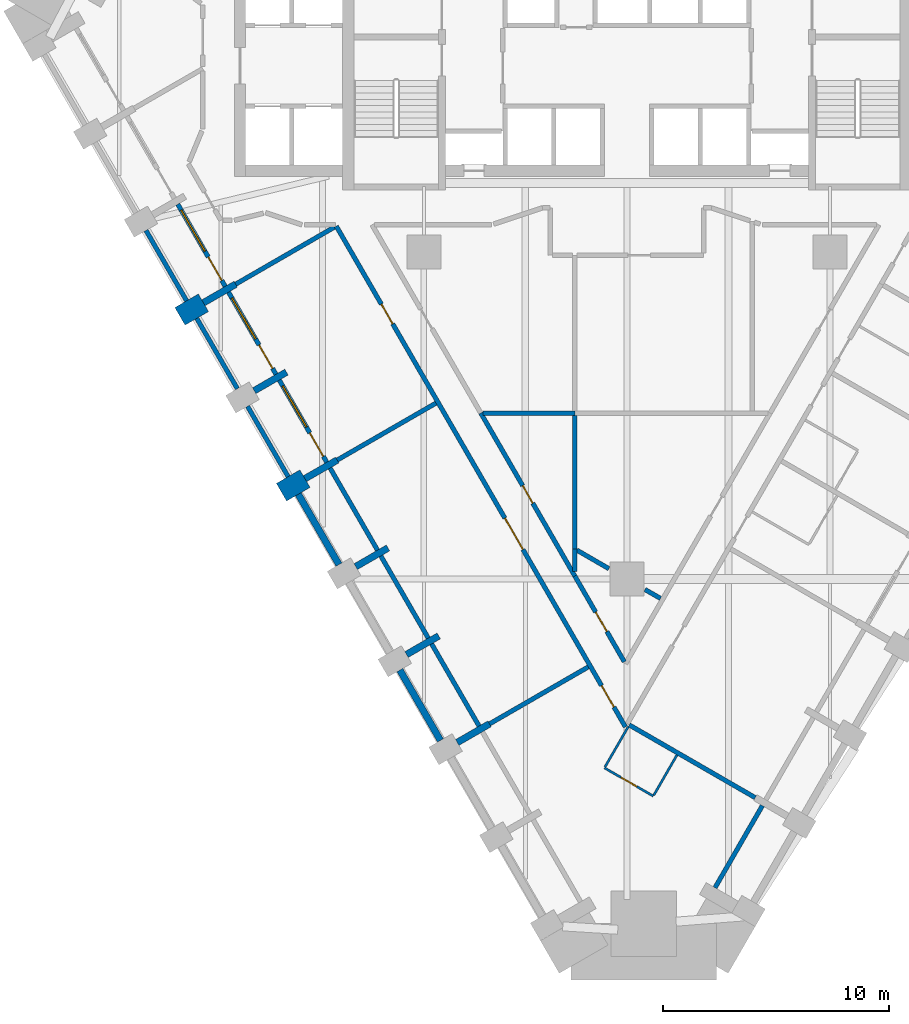
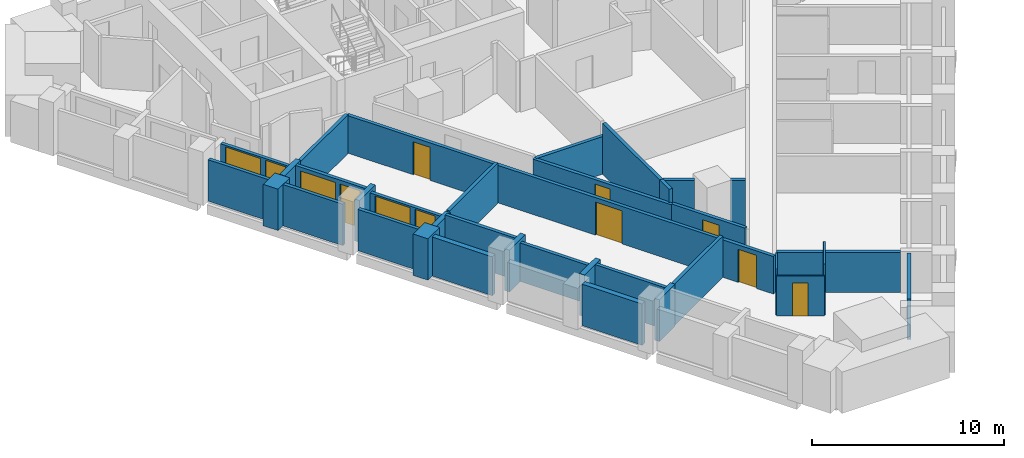
# One storey, part 3 of 11: 35 walls, 9 doors, 3 windows, 12 openings.
"""IFC4 building model written with IfcOpenShell, lengths in metres."""

from ifc_helpers import new_model, si_unit, direction, frame, frame_2d, origin, place, context, subcontext, project, spatial, rectangle, extrude, material, layer, layer_set, type_object, element, fill, save


model = new_model("IFC4")

# Units and contexts
model_context = context("Model", 3, precision=1e-05, world=origin(), true_north=direction((0.0, 1.0)))
body_context = subcontext(model_context, "Body", "Model", "MODEL_VIEW")
ifc_project = project(units=[si_unit("LENGTHUNIT", "METRE"), si_unit("AREAUNIT", "SQUARE_METRE"), si_unit("VOLUMEUNIT", "CUBIC_METRE"), si_unit("PLANEANGLEUNIT", "RADIAN"), si_unit("MASSUNIT", "GRAM", prefix="KILO")], contexts=[model_context])

# Site, building, storey
site_placement = place(None, origin())
site = spatial("IfcSite", under=ifc_project, at=site_placement, CompositionType="ELEMENT")
building_placement = place(site_placement, origin())
building = spatial("IfcBuilding", under=site, at=building_placement, Name="Calabash Gate Tower", CompositionType="ELEMENT")
storey_placement = place(building_placement, frame((0.0, 0.0, 115.60009765625)))
storey = spatial("IfcBuildingStorey", under=building, at=storey_placement, Name="L26", CompositionType="ELEMENT", Elevation=115.60009765625)

# Walls
ifc_material_1 = material(Name="Terracotta brick masonry, exposed face", Category="masonry")
ifc_layer_1 = layer(ifc_material_1, 1.199951171875)
ifc_layer_set_1 = layer_set([ifc_layer_1], Name="Brick end wall 1200")
wall_type_1 = type_object("IfcWallType", Name="Brick end wall 1200", PredefinedType="SOLIDWALL", material=ifc_layer_set_1)
for number, where, z_axis, x_axis, name in (
    (1, (-19.80859375, -0.355224609375, 0.0), (0.0, 0.0, 1.0), (0.866043267704, 0.499969057507, 0.0), "Brick pier S07 SW0.3"),
    (2, (-15.30859375, -8.1494140625, 0.0), (0.0, 0.0, 1.0), (0.866043267704, 0.499969057507, 0.0), "Brick pier S07 SW0.5"),
):
    element("IfcWall", number, at=place(storey_placement, frame(where, z_axis=z_axis, x_axis=x_axis)), inside=storey, type_object=wall_type_1, Name=name, PredefinedType="SOLIDWALL", context=body_context, shape_type="SweptSolid", body=[
        extrude(rectangle(XDim=1.19970703125, YDim=0.89990234375, at=frame_2d((0.599853515625, 0.0))), origin(), (0.0, 0.0, 1.0), 2.6298828125),
    ])
ifc_material_2 = material(Name="Terracotta brick masonry, exposed face", Category="masonry")
ifc_layer_2 = layer(ifc_material_2, 0.300048828125)
ifc_layer_set_2 = layer_set([ifc_layer_2], Name="Brick infill panel wall 300")
wall_type_2 = type_object("IfcWallType", Name="Brick infill panel wall 300", PredefinedType="SOLIDWALL", material=ifc_layer_set_2)
wall_1_placement = place(storey_placement, frame((-14.56396484375, -8.2392578125, 0.0), z_axis=(0.0, 0.0, 1.0), x_axis=(0.500012057535, -0.866018442252, 0.0)))
element("IfcWall", 3, at=wall_1_placement, inside=storey, type_object=wall_type_2, Name="Brick panel S07 SW0.6", PredefinedType="SOLIDWALL", context=body_context, shape_type="SweptSolid", body=[
    extrude(rectangle(XDim=3.60009765625, YDim=0.300048828125, at=frame_2d((1.800048828125, 0.0))), origin(), (0.0, 0.0, 1.0), 2.473388671875),
])
wall_2_placement = place(storey_placement, frame((-10.06396484375, -16.033447265625, 0.0), z_axis=(0.0, 0.0, 1.0), x_axis=(0.500012057535, -0.866018442252, 0.0)))
element("IfcWall", 4, at=wall_2_placement, inside=storey, type_object=wall_type_2, Name="Brick panel S07 SW0.8", PredefinedType="SOLIDWALL", context=body_context, shape_type="SweptSolid", body=[
    extrude(rectangle(XDim=3.60009765625, YDim=0.300048828125, at=frame_2d((1.800048828125, 0.0))), origin(), (0.0, 0.0, 1.0), 2.6298828125),
])
ifc_material_3 = material(Name="Terracotta brick masonry, exposed face", Category="masonry")
ifc_layer_3 = layer(ifc_material_3, 0.300048828125)
ifc_layer_set_3 = layer_set([ifc_layer_3], Name="Brick loggia cheek wall 300")
wall_type_3 = type_object("IfcWallType", Name="Brick loggia cheek wall 300", PredefinedType="SOLIDWALL", material=ifc_layer_set_3)
wall_3_placement = place(storey_placement, frame((-18.76953125, 0.24462890625, 0.0), z_axis=(0.0, 0.0, 1.0), x_axis=(0.865976140824, 0.500085316245, 0.0)))
element("IfcWall", 5, at=wall_3_placement, inside=storey, type_object=wall_type_3, Name="Loggia cheek S07 SW0.3", PredefinedType="SOLIDWALL", context=body_context, shape_type="SweptSolid", body=[
    extrude(rectangle(XDim=1.650146484375, YDim=0.300048828125, at=frame_2d((0.8251953125, 0.0))), origin(), (0.0, 0.0, 1.0), 2.64990234375),
])
wall_4_placement = place(storey_placement, frame((-16.519287109375, -3.65234375, 0.0), z_axis=(0.0, 0.0, 1.0), x_axis=(0.866003217194, 0.500038426333, 0.0)))
element("IfcWall", 6, at=wall_4_placement, inside=storey, type_object=wall_type_3, Name="Loggia cheek S07 SW0.4", PredefinedType="SOLIDWALL", context=body_context, shape_type="SweptSolid", body=[
    extrude(rectangle(XDim=1.649658203125, YDim=0.300048828125, at=frame_2d((0.82470703125, 0.0))), origin(), (0.0, 0.0, 1.0), 2.64990234375),
])
wall_5_placement = place(storey_placement, frame((-12.840576171875, -6.724609375, 0.0), z_axis=(0.0, 0.0, 1.0), x_axis=(-0.866040211805, -0.499974350878, 0.0)))
element("IfcWall", 7, at=wall_5_placement, inside=storey, type_object=wall_type_3, Name="Loggia cheek S07 SW0.5", PredefinedType="SOLIDWALL", context=body_context, shape_type="SweptSolid", body=[
    extrude(rectangle(XDim=1.64990234375, YDim=0.300048828125, at=frame_2d((0.824951171875, 0.0))), origin(), (0.0, 0.0, 1.0), 2.473388671875),
])
for number, where, z_axis, x_axis, name in (
    (8, (-12.01953125, -11.446533203125, 0.0), (0.0, 0.0, 1.0), (0.866040211805, 0.499974350878, 0.0), "Loggia cheek S07 SW0.6"),
    (9, (-8.340576171875, -14.518798828125, 0.0), (0.0, 0.0, 1.0), (-0.866040211805, -0.499974350878, 0.0), "Loggia cheek S07 SW0.7"),
):
    element("IfcWall", number, at=place(storey_placement, frame(where, z_axis=z_axis, x_axis=x_axis)), inside=storey, type_object=wall_type_3, Name=name, PredefinedType="SOLIDWALL", context=body_context, shape_type="SweptSolid", body=[
        extrude(rectangle(XDim=1.64990234375, YDim=0.300048828125, at=frame_2d((0.824951171875, 0.0))), origin(), (0.0, 0.0, 1.0), 2.64990234375),
    ])
wall_6_placement = place(storey_placement, frame((-7.51953125, -19.240966796875, 0.0), z_axis=(0.0, 0.0, 1.0), x_axis=(0.865976140824, 0.500085316245, 0.0)))
element("IfcWall", 10, at=wall_6_placement, inside=storey, type_object=wall_type_3, Name="Loggia cheek S07 SW0.8", PredefinedType="SOLIDWALL", context=body_context, shape_type="SweptSolid", body=[
    extrude(rectangle(XDim=1.650146484375, YDim=0.300048828125, at=frame_2d((0.8251953125, 0.0))), origin(), (0.0, 0.0, 1.0), 2.64990234375),
])
ifc_material_4 = material(Name="Gypsum board on steel studs, mineral wool", Category="steel")
ifc_layer_4 = layer(ifc_material_4, 0.10009765625)
ifc_layer_set_4 = layer_set([ifc_layer_4], Name="Partition 100 gypsum board")
wall_type_4 = type_object("IfcWallType", Name="Partition 100 gypsum board", PredefinedType="PARTITIONING", material=ifc_layer_set_4)
wall_7_placement = place(storey_placement, frame((1.192626953125, -21.573486328125, 0.0), z_axis=(0.0, 0.0, 1.0), x_axis=(0.499354689006, 0.866397653833, 0.0)))
element("IfcWall", 11, at=wall_7_placement, inside=storey, type_object=wall_type_4, Name="Partition", PredefinedType="PARTITIONING", context=body_context, shape_type="SweptSolid", body=[
    extrude(rectangle(XDim=2.050048828125, YDim=0.10009765625, at=frame_2d((1.02490234375, 0.0))), origin(), (0.0, 0.0, 1.0), 3.22998046875),
])

# Wall, opening, door
wall_8_placement = place(storey_placement, frame((-0.997314453125, -20.36669921875, 0.0), z_axis=(0.0, 0.0, 1.0), x_axis=(0.866022959057, -0.500004234368, 0.0)))
wall_8 = element("IfcWall", 12, at=wall_8_placement, inside=storey, type_object=wall_type_4, Name="Partition", PredefinedType="PARTITIONING", context=body_context, shape_type="SweptSolid", body=[
    extrude(rectangle(XDim=2.5, YDim=0.10009765625, at=frame_2d((1.25, 0.0))), origin(), (0.0, 0.0, 1.0), 2.5517578125),
])
opening_1_placement = place(wall_8_placement, frame((0.85009765625, 0.0, 0.0)))
opening_1 = element("IfcOpeningElement", 13, at=opening_1_placement, cuts=wall_8, Name="Opening 25-27-017", PredefinedType="OPENING", context=body_context, shape_type="SweptSolid", body=[
    extrude(rectangle(XDim=0.800048828125, YDim=2.10009765625, at=frame_2d((0.39990234375, 1.050048828125))), frame((0.0, 0.06005859375, 0.0), z_axis=(0.0, -1.0, 0.0), x_axis=(1.0, 0.0, 0.0)), (0.0, 0.0, 1.0), 0.1201171875),
])
ifc_material_5 = material(Name="Painted timber door", Category="wood")
door_type_1 = type_object("IfcDoorType", Name="GD5 En-suite door 800x2100", OperationType="NOTDEFINED", PredefinedType="DOOR", material=ifc_material_5)
door_1_placement = place(opening_1_placement, origin())
door_1 = element("IfcDoor", 14, at=door_1_placement, inside=storey, type_object=door_type_1, Name="En-suite door", OperationType="SINGLE_SWING_RIGHT", OverallHeight=2.10009765625, OverallWidth=0.800048828125, PredefinedType="DOOR", context=body_context, shape_type="SweptSolid", body=[
    extrude(rectangle(XDim=0.800048828125, YDim=2.10009765625, at=frame_2d((0.39990234375, 1.050048828125))), frame((0.0, 0.02490234375, 0.0), z_axis=(0.0, -1.0, 0.0), x_axis=(1.0, 0.0, 0.0)), (0.0, 0.0, 1.0), 0.050048828125),
])
fill(opening_1, door_1)

# Wall
wall_9_placement = place(storey_placement, frame((-0.972412109375, -20.323486328125, 0.0), z_axis=(0.0, 0.0, 1.0), x_axis=(0.500646589026, 0.865651773461, 0.0)))
element("IfcWall", 15, at=wall_9_placement, inside=storey, type_object=wall_type_4, Name="Partition", PredefinedType="PARTITIONING", context=body_context, shape_type="SweptSolid", body=[
    extrude(rectangle(XDim=2.050048828125, YDim=0.10009765625, at=frame_2d((1.02490234375, 0.0))), origin(), (0.0, 0.0, 1.0), 2.5517578125),
])

# Wall, openings, doors
ifc_material_6 = material(Name="Gypsum board on steel studs, mineral wool", Category="steel")
ifc_layer_5 = layer(ifc_material_6, 0.199951171875)
ifc_layer_set_5 = layer_set([ifc_layer_5], Name="Partition 200 gypsum board EI 60")
wall_type_5 = type_object("IfcWallType", Name="Partition 200 gypsum board EI 60", PredefinedType="PARTITIONING", material=ifc_layer_set_5)
wall_10_placement = place(storey_placement, frame((-12.882080078125, 3.643798828125, 0.0), z_axis=(0.0, 0.0, 1.0), x_axis=(0.500000325599, -0.866025215799, 0.0)))
wall_10 = element("IfcWall", 16, at=wall_10_placement, inside=storey, type_object=wall_type_5, Name="Partition", PredefinedType="PARTITIONING", context=body_context, shape_type="SweptSolid", body=[
    extrude(rectangle(XDim=25.63037109375, YDim=0.199951171875, at=frame_2d((12.815185546875, 0.0))), origin(), (0.0, 0.0, 1.0), 2.384033203125),
])
opening_2_placement = place(wall_10_placement, frame((4.0, 0.0, 0.0)))
opening_2 = element("IfcOpeningElement", 17, at=opening_2_placement, cuts=wall_10, Name="Opening 25-27-001", PredefinedType="OPENING", context=body_context, shape_type="SweptSolid", body=[
    extrude(rectangle(XDim=1.0, YDim=2.10009765625, at=frame_2d((0.5, 1.050048828125))), frame((0.0, 0.10986328125, 0.0), z_axis=(0.0, -1.0, 0.0), x_axis=(1.0, 0.0, 0.0)), (0.0, 0.0, 1.0), 0.219970703125),
])
opening_3_placement = place(wall_10_placement, frame((14.9501953125, 0.0, 0.0)))
opening_3 = element("IfcOpeningElement", 18, at=opening_3_placement, cuts=wall_10, Name="Opening 25-27-002", PredefinedType="OPENING", context=body_context, shape_type="SweptSolid", body=[
    extrude(rectangle(XDim=1.60009765625, YDim=2.10009765625, at=frame_2d((0.800048828125, 1.050048828125))), frame((0.0, 0.10986328125, 0.0), z_axis=(0.0, -1.0, 0.0), x_axis=(1.0, 0.0, 0.0)), (0.0, 0.0, 1.0), 0.219970703125),
])
opening_4_placement = place(wall_10_placement, frame((23.515380859375, 0.0, 0.0)))
opening_4 = element("IfcOpeningElement", 19, at=opening_4_placement, cuts=wall_10, Name="Opening 25-27-026", PredefinedType="OPENING", context=body_context, shape_type="SweptSolid", body=[
    extrude(rectangle(XDim=1.10009765625, YDim=2.10009765625, at=frame_2d((0.550048828125, 1.050048828125))), frame((0.0, 0.10986328125, 0.0), z_axis=(0.0, -1.0, 0.0), x_axis=(1.0, 0.0, 0.0)), (0.0, 0.0, 1.0), 0.219970703125),
])
ifc_material_7 = material(Name="Steel fire door set with fire-resisting glazing", Category="steel")
door_type_2 = type_object("IfcDoorType", Name="GD3 Suite entrance door 1100x2100", OperationType="NOTDEFINED", PredefinedType="DOOR", material=ifc_material_7)
door_2_placement = place(opening_4_placement, origin())
door_2 = element("IfcDoor", 20, at=door_2_placement, inside=storey, type_object=door_type_2, Name="Suite entrance door", OperationType="SINGLE_SWING_LEFT", OverallHeight=2.10009765625, OverallWidth=1.10009765625, PredefinedType="DOOR", context=body_context, shape_type="SweptSolid", body=[
    extrude(rectangle(XDim=1.10009765625, YDim=2.10009765625, at=frame_2d((0.550048828125, 1.050048828125))), frame((0.0, 0.02490234375, 0.0), z_axis=(0.0, -1.0, 0.0), x_axis=(1.0, 0.0, 0.0)), (0.0, 0.0, 1.0), 0.050048828125),
])
fill(opening_4, door_2)
ifc_material_8 = material(Name="Steel fire door set with fire-resisting glazing", Category="steel")
door_type_3 = type_object("IfcDoorType", Name="LD1 Lounge double door 1600x2100", OperationType="NOTDEFINED", PredefinedType="DOOR", material=ifc_material_8)
door_3_placement = place(opening_3_placement, origin())
door_3 = element("IfcDoor", 21, at=door_3_placement, inside=storey, type_object=door_type_3, Name="Lounge double door", OperationType="DOUBLE_DOOR_SINGLE_SWING", OverallHeight=2.10009765625, OverallWidth=1.60009765625, PredefinedType="DOOR", context=body_context, shape_type="SweptSolid", body=[
    extrude(rectangle(XDim=1.60009765625, YDim=2.10009765625, at=frame_2d((0.800048828125, 1.050048828125))), frame((0.0, 0.02490234375, 0.0), z_axis=(0.0, -1.0, 0.0), x_axis=(1.0, 0.0, 0.0)), (0.0, 0.0, 1.0), 0.050048828125),
])
fill(opening_3, door_3)
ifc_material_9 = material(Name="Steel fire door set with fire-resisting glazing", Category="steel")
door_type_4 = type_object("IfcDoorType", Name="LD2 Meeting room door 1000x2100", OperationType="NOTDEFINED", PredefinedType="DOOR", material=ifc_material_9)
door_4_placement = place(opening_2_placement, origin())
door_4 = element("IfcDoor", 22, at=door_4_placement, inside=storey, type_object=door_type_4, Name="Meeting room door", OperationType="SINGLE_SWING_RIGHT", OverallHeight=2.10009765625, OverallWidth=1.0, PredefinedType="DOOR", context=body_context, shape_type="SweptSolid", body=[
    extrude(rectangle(XDim=1.0, YDim=2.10009765625, at=frame_2d((0.5, 1.050048828125))), frame((0.0, 0.02490234375, 0.0), z_axis=(0.0, -1.0, 0.0), x_axis=(1.0, 0.0, 0.0)), (0.0, 0.0, 1.0), 0.050048828125),
])
fill(opening_2, door_4)

# Walls
wall_11_placement = place(storey_placement, frame((0.101806640625, -18.462890625, 0.0), z_axis=(0.0, 0.0, 1.0), x_axis=(0.866035557451, -0.499982412921, 0.0)))
element("IfcWall", 23, at=wall_11_placement, inside=storey, type_object=wall_type_5, Name="Partition", PredefinedType="PARTITIONING", context=body_context, shape_type="SweptSolid", body=[
    extrude(rectangle(XDim=6.449462890625, YDim=0.199951171875, at=frame_2d((3.224609375, 0.0))), origin(), (0.0, 0.0, 1.0), 2.5517578125),
])
wall_12_placement = place(storey_placement, frame((-6.090087890625, -18.416259765625, 0.0), z_axis=(0.0, 0.0, 1.0), x_axis=(0.866164656326, 0.49975872992, 0.0)))
element("IfcWall", 24, at=wall_12_placement, inside=storey, type_object=wall_type_5, Name="Partition", PredefinedType="PARTITIONING", context=body_context, shape_type="SweptSolid", body=[
    extrude(rectangle(XDim=5.04931640625, YDim=0.199951171875, at=frame_2d((2.524658203125, 0.0))), origin(), (0.0, 0.0, 1.0), 2.6279296875),
])
wall_13_placement = place(storey_placement, frame((0.800048828125, -12.461669921875, 0.0), z_axis=(0.0, 0.0, 1.0), x_axis=(0.867012419422, -0.498286528584, 0.0)))
element("IfcWall", 25, at=wall_13_placement, inside=storey, type_object=wall_type_5, Name="Partition", PredefinedType="PARTITIONING", context=body_context, shape_type="SweptSolid", body=[
    extrude(rectangle(XDim=0.795166015625, YDim=0.199951171875, at=frame_2d((0.3974609375, 0.0))), origin(), (0.0, 0.0, 1.0), 3.22998046875),
])

# Wall, opening, door
wall_14_placement = place(storey_placement, frame((-2.311279296875, -11.861083984375, 0.0), z_axis=(0.0, 0.0, 1.0), x_axis=(0.499977492351, -0.866038398192, 0.0)))
wall_14 = element("IfcWall", 26, at=wall_14_placement, inside=storey, type_object=wall_type_5, Name="Partition", PredefinedType="PARTITIONING", context=body_context, shape_type="SweptSolid", body=[
    extrude(rectangle(XDim=4.391845703125, YDim=0.199951171875, at=frame_2d((2.19580078125, 0.0))), origin(), (0.0, 0.0, 1.0), 2.449951171875),
])
opening_5_placement = place(wall_14_placement, frame((1.84423828125, 0.0, 0.0)))
opening_5 = element("IfcOpeningElement", 27, at=opening_5_placement, cuts=wall_14, Name="Opening 25-27-015", PredefinedType="OPENING", context=body_context, shape_type="SweptSolid", body=[
    extrude(rectangle(XDim=1.0, YDim=2.10009765625, at=frame_2d((0.5, 1.050048828125))), frame((0.0, 0.10986328125, 0.0), z_axis=(0.0, -1.0, 0.0), x_axis=(1.0, 0.0, 0.0)), (0.0, 0.0, 1.0), 0.219970703125),
])
door_5_placement = place(opening_5_placement, origin())
door_5 = element("IfcDoor", 28, at=door_5_placement, inside=storey, type_object=door_type_4, Name="Meeting room door", OperationType="SINGLE_SWING_RIGHT", OverallHeight=2.10009765625, OverallWidth=1.0, PredefinedType="DOOR", context=body_context, shape_type="SweptSolid", body=[
    extrude(rectangle(XDim=1.0, YDim=2.10009765625, at=frame_2d((0.5, 1.050048828125))), frame((0.0, 0.02490234375, 0.0), z_axis=(0.0, -1.0, 0.0), x_axis=(1.0, 0.0, 0.0)), (0.0, 0.0, 1.0), 0.050048828125),
])
fill(opening_5, door_5)

# Walls
wall_15_placement = place(storey_placement, frame((-2.224609375, -10.713623046875, 0.0), z_axis=(0.0, 0.0, 1.0), x_axis=(0.865565051919, -0.500796506474, 0.0)))
element("IfcWall", 29, at=wall_15_placement, inside=storey, type_object=wall_type_5, Name="Partition", PredefinedType="PARTITIONING", context=body_context, shape_type="SweptSolid", body=[
    extrude(rectangle(XDim=1.645751953125, YDim=0.199951171875, at=frame_2d((0.82275390625, 0.0))), origin(), (0.0, 0.0, 1.0), 3.22998046875),
])
wall_16_placement = place(storey_placement, frame((-2.31103515625, -11.66162109375, 0.0), z_axis=(0.0, 0.0, 1.0), x_axis=(0.001472029808, 0.999998916564, 0.0)))
element("IfcWall", 30, at=wall_16_placement, inside=storey, type_object=wall_type_5, Name="Partition", PredefinedType="PARTITIONING", context=body_context, shape_type="SweptSolid", body=[
    extrude(rectangle(XDim=0.9951171875, YDim=0.199951171875, at=frame_2d((0.49755859375, 0.0))), origin(), (0.0, 0.0, 1.0), 3.22998046875),
])
wall_17_placement = place(storey_placement, frame((-2.3095703125, -10.66650390625, 0.0), z_axis=(0.0, 0.0, 1.0), x_axis=(0.0, 1.0, 0.0)))
element("IfcWall", 31, at=wall_17_placement, inside=storey, type_object=wall_type_5, Name="Partition", PredefinedType="PARTITIONING", context=body_context, shape_type="SweptSolid", body=[
    extrude(rectangle(XDim=5.927001953125, YDim=0.199951171875, at=frame_2d((2.96337890625, 0.0))), origin(), (0.0, 0.0, 1.0), 3.22998046875),
])

# Wall, opening, door
wall_18_placement = place(storey_placement, frame((-6.4775390625, -4.641357421875, 0.0), z_axis=(0.0, 0.0, 1.0), x_axis=(0.499806127846, -0.866137306994, 0.0)))
wall_18 = element("IfcWall", 32, at=wall_18_placement, inside=storey, type_object=wall_type_5, Name="Partition", PredefinedType="PARTITIONING", context=body_context, shape_type="SweptSolid", body=[
    extrude(rectangle(XDim=8.335205078125, YDim=0.199951171875, at=frame_2d((4.16748046875, 0.0))), origin(), (0.0, 0.0, 1.0), 2.384033203125),
])
opening_6_placement = place(wall_18_placement, frame((3.716064453125, 0.0, 0.0)))
opening_6 = element("IfcOpeningElement", 33, at=opening_6_placement, cuts=wall_18, Name="Opening 25-27-014", PredefinedType="OPENING", context=body_context, shape_type="SweptSolid", body=[
    extrude(rectangle(XDim=0.89990234375, YDim=2.10009765625, at=frame_2d((0.449951171875, 1.050048828125))), frame((0.0, 0.10986328125, 0.0), z_axis=(0.0, -1.0, 0.0), x_axis=(1.0, 0.0, 0.0)), (0.0, 0.0, 1.0), 0.219970703125),
])
ifc_material_10 = material(Name="Steel fire door set with fire-resisting glazing", Category="steel")
door_type_5 = type_object("IfcDoorType", Name="SD3 Store door 900x2100", OperationType="NOTDEFINED", PredefinedType="DOOR", material=ifc_material_10)
door_6_placement = place(opening_6_placement, origin())
door_6 = element("IfcDoor", 34, at=door_6_placement, inside=storey, type_object=door_type_5, Name="Store door", OperationType="SINGLE_SWING_LEFT", OverallHeight=2.10009765625, OverallWidth=0.89990234375, PredefinedType="DOOR", context=body_context, shape_type="SweptSolid", body=[
    extrude(rectangle(XDim=0.89990234375, YDim=2.10009765625, at=frame_2d((0.449951171875, 1.050048828125))), frame((0.0, 0.02490234375, 0.0), z_axis=(0.0, -1.0, 0.0), x_axis=(1.0, 0.0, 0.0)), (0.0, 0.0, 1.0), 0.050048828125),
])
fill(opening_6, door_6)

# Walls
wall_19_placement = place(storey_placement, frame((-6.377685546875, -4.641357421875, 0.0), z_axis=(0.0, 0.0, 1.0), x_axis=(1.0, 0.0, 0.0)))
element("IfcWall", 35, at=wall_19_placement, inside=storey, type_object=wall_type_5, Name="Partition", PredefinedType="PARTITIONING", context=body_context, shape_type="SweptSolid", body=[
    extrude(rectangle(XDim=4.066162109375, YDim=0.199951171875, at=frame_2d((2.033203125, 0.0))), origin(), (0.0, 0.0, 1.0), 2.384033203125),
])
wall_20_placement = place(storey_placement, frame((-12.84033203125, -6.724609375, 0.0), z_axis=(0.0, 0.0, 1.0), x_axis=(0.866209732401, 0.499680597475, 0.0)))
element("IfcWall", 36, at=wall_20_placement, inside=storey, type_object=wall_type_5, Name="Partition", PredefinedType="PARTITIONING", context=body_context, shape_type="SweptSolid", body=[
    extrude(rectangle(XDim=5.049560546875, YDim=0.199951171875, at=frame_2d((2.52490234375, 0.0))), origin(), (0.0, 0.0, 1.0), 2.5517578125),
])
wall_21_placement = place(storey_placement, frame((-17.3408203125, 1.0703125, 0.0), z_axis=(0.0, 0.0, 1.0), x_axis=(0.865894858421, 0.500226043064, 0.0)))
element("IfcWall", 37, at=wall_21_placement, inside=storey, type_object=wall_type_5, Name="Partition", PredefinedType="PARTITIONING", context=body_context, shape_type="SweptSolid", body=[
    extrude(rectangle(XDim=5.049560546875, YDim=0.199951171875, at=frame_2d((2.52490234375, 0.0))), origin(), (0.0, 0.0, 1.0), 2.473388671875),
])
ifc_material_11 = material(Name="Terracotta brick masonry, perforated", Category="masonry")
ifc_layer_6 = layer(ifc_material_11, 0.199951171875)
ifc_layer_set_6 = layer_set([ifc_layer_6], Name="Terracotta jaali screen A")
wall_type_6 = type_object("IfcWallType", Name="Terracotta jaali screen A", PredefinedType="SOLIDWALL", material=ifc_layer_set_6)
for number, where, z_axis, x_axis, name in (
    (38, (-21.31396484375, 3.4521484375, 0.0), (0.0, 0.0, 1.0), (0.500012057535, -0.866018442252, 0.0), "SCREEN A S07 SW0.3"),
    (39, (-19.06396484375, -0.445068359375, 0.0), (0.0, 0.0, 1.0), (0.500012057535, -0.866018442252, 0.0), "SCREEN A S07 SW0.4"),
    (40, (-16.81396484375, -4.342041015625, 0.0), (0.0, 0.0, 1.0), (0.500012057535, -0.866018442252, 0.0), "SCREEN A S07 SW0.5"),
):
    element("IfcWall", number, at=place(storey_placement, frame(where, z_axis=z_axis, x_axis=x_axis)), inside=storey, type_object=wall_type_6, Name=name, PredefinedType="SOLIDWALL", context=body_context, shape_type="SweptSolid", body=[
        extrude(rectangle(XDim=3.60009765625, YDim=0.199951171875, at=frame_2d((1.800048828125, 0.0))), origin(), (0.0, 0.0, 1.0), 2.6298828125),
    ])

# Wall, openings, door, window
ifc_material_12 = material(Name="Aluminium framed window wall with insulated spandrel", Category="aluminium")
ifc_layer_7 = layer(ifc_material_12, 0.199951171875)
ifc_layer_set_7 = layer_set([ifc_layer_7], Name="Window wall 200")
wall_type_7 = type_object("IfcWallType", Name="Window wall 200", PredefinedType="ELEMENTEDWALL", material=ifc_layer_set_7)
wall_22_placement = place(storey_placement, frame((-19.9052734375, 4.61181640625, 0.0), z_axis=(0.0, 0.0, 1.0), x_axis=(0.500027713859, -0.866009402589, 0.0)))
wall_22 = element("IfcWall", 41, at=wall_22_placement, inside=storey, type_object=wall_type_7, Name="Window wall S07 SW0.3", PredefinedType="ELEMENTEDWALL", context=body_context, shape_type="SweptSolid", body=[
    extrude(rectangle(XDim=4.199951171875, YDim=0.199951171875, at=frame_2d((2.10009765625, 0.0))), origin(), (0.0, 0.0, 1.0), 2.449951171875),
])
opening_7_placement = place(wall_22_placement, frame((0.300048828125, 0.0, 0.60009765625)))
opening_7 = element("IfcOpeningElement", 42, at=opening_7_placement, cuts=wall_22, Name="Opening HW1L-1750", PredefinedType="OPENING", context=body_context, shape_type="SweptSolid", body=[
    extrude(rectangle(XDim=2.10009765625, YDim=1.75, at=frame_2d((1.050048828125, 0.875))), frame((0.0, 0.10986328125, 0.0), z_axis=(0.0, -1.0, 0.0), x_axis=(1.0, 0.0, 0.0)), (0.0, 0.0, 1.0), 0.219970703125),
])
opening_8_placement = place(wall_22_placement, frame((2.699951171875, 0.0, 0.0)))
opening_8 = element("IfcOpeningElement", 43, at=opening_8_placement, cuts=wall_22, Name="Opening H7-026", PredefinedType="OPENING", context=body_context, shape_type="SweptSolid", body=[
    extrude(rectangle(XDim=1.199951171875, YDim=2.35009765625, at=frame_2d((0.60009765625, 1.175048828125))), frame((0.0, 0.10986328125, 0.0), z_axis=(0.0, -1.0, 0.0), x_axis=(1.0, 0.0, 0.0)), (0.0, 0.0, 1.0), 0.219970703125),
])
ifc_material_13 = material(Name="Anodised aluminium frame, bronze finish, impact-rated laminated clear glazing", Category="aluminium")
door_type_6 = type_object("IfcDoorType", Name="Loggia door DH1L-2350 1200x2350", OperationType="SLIDING_TO_LEFT", PredefinedType="DOOR", material=ifc_material_13)
door_7_placement = place(opening_8_placement, origin())
door_7 = element("IfcDoor", 44, at=door_7_placement, inside=storey, type_object=door_type_6, Name="Loggia door S07 SW0.3", OperationType="SINGLE_SWING_LEFT", OverallHeight=2.35009765625, OverallWidth=1.199951171875, PredefinedType="DOOR", context=body_context, shape_type="SweptSolid", body=[
    extrude(rectangle(XDim=1.199951171875, YDim=2.35009765625, at=frame_2d((0.60009765625, 1.175048828125))), frame((0.0, 0.02490234375, 0.0), z_axis=(0.0, -1.0, 0.0), x_axis=(1.0, 0.0, 0.0)), (0.0, 0.0, 1.0), 0.050048828125),
])
fill(opening_8, door_7)
ifc_material_14 = material(Name="Anodised aluminium frame, bronze finish, impact-rated laminated clear glazing", Category="aluminium")
window_type_1 = type_object("IfcWindowType", Name="Window HW1L 2100x1750", PartitioningType="DOUBLE_PANEL_VERTICAL", PredefinedType="WINDOW", material=ifc_material_14)
window_1_placement = place(opening_7_placement, origin())
window_1 = element("IfcWindow", 45, at=window_1_placement, inside=storey, type_object=window_type_1, Name="Window HW1 S07 SW0.3", OverallHeight=1.75, OverallWidth=2.10009765625, PartitioningType="SINGLE_PANEL", PredefinedType="WINDOW", context=body_context, shape_type="SweptSolid", body=[
    extrude(rectangle(XDim=2.10009765625, YDim=1.75, at=frame_2d((1.050048828125, 0.875))), frame((0.0, 0.030029296875, 0.0), z_axis=(0.0, -1.0, 0.0), x_axis=(1.0, 0.0, 0.0)), (0.0, 0.0, 1.0), 0.06005859375),
])
fill(opening_7, window_1)

wall_23_placement = place(storey_placement, frame((-17.6552734375, 0.71484375, 0.0), z_axis=(0.0, 0.0, 1.0), x_axis=(0.500002543286, -0.866023935413, 0.0)))
wall_23 = element("IfcWall", 46, at=wall_23_placement, inside=storey, type_object=wall_type_7, Name="Window wall S07 SW0.4", PredefinedType="ELEMENTEDWALL", context=body_context, shape_type="SweptSolid", body=[
    extrude(rectangle(XDim=4.2001953125, YDim=0.199951171875, at=frame_2d((2.10009765625, 0.0))), origin(), (0.0, 0.0, 1.0), 2.64990234375),
])
opening_9_placement = place(wall_23_placement, frame((0.300048828125, 0.0, 0.60009765625)))
opening_9 = element("IfcOpeningElement", 47, at=opening_9_placement, cuts=wall_23, Name="Opening HW1", PredefinedType="OPENING", context=body_context, shape_type="SweptSolid", body=[
    extrude(rectangle(XDim=2.10009765625, YDim=1.800048828125, at=frame_2d((1.050048828125, 0.89990234375))), frame((0.0, 0.10986328125, 0.0), z_axis=(0.0, -1.0, 0.0), x_axis=(1.0, 0.0, 0.0)), (0.0, 0.0, 1.0), 0.219970703125),
])
opening_10_placement = place(wall_23_placement, frame((2.699951171875, 0.0, 0.0)))
opening_10 = element("IfcOpeningElement", 48, at=opening_10_placement, cuts=wall_23, Name="Opening H7-027", PredefinedType="OPENING", context=body_context, shape_type="SweptSolid", body=[
    extrude(rectangle(XDim=1.199951171875, YDim=2.39990234375, at=frame_2d((0.60009765625, 1.199951171875))), frame((0.0, 0.10986328125, 0.0), z_axis=(0.0, -1.0, 0.0), x_axis=(1.0, 0.0, 0.0)), (0.0, 0.0, 1.0), 0.219970703125),
])
ifc_material_15 = material(Name="Anodised aluminium frame, bronze finish, impact-rated laminated clear glazing", Category="aluminium")
door_type_7 = type_object("IfcDoorType", Name="Loggia door DH1 1200x2400", OperationType="SLIDING_TO_LEFT", PredefinedType="DOOR", material=ifc_material_15)
door_8_placement = place(opening_10_placement, origin())
door_8 = element("IfcDoor", 49, at=door_8_placement, inside=storey, type_object=door_type_7, Name="Loggia door S07 SW0.4", OperationType="SINGLE_SWING_LEFT", OverallHeight=2.39990234375, OverallWidth=1.199951171875, PredefinedType="DOOR", context=body_context, shape_type="SweptSolid", body=[
    extrude(rectangle(XDim=1.199951171875, YDim=2.39990234375, at=frame_2d((0.60009765625, 1.199951171875))), frame((0.0, 0.02490234375, 0.0), z_axis=(0.0, -1.0, 0.0), x_axis=(1.0, 0.0, 0.0)), (0.0, 0.0, 1.0), 0.050048828125),
])
fill(opening_10, door_8)
ifc_material_16 = material(Name="Anodised aluminium frame, bronze finish, impact-rated laminated clear glazing", Category="aluminium")
window_type_2 = type_object("IfcWindowType", Name="Window HW1 2100x1800", PartitioningType="DOUBLE_PANEL_VERTICAL", PredefinedType="WINDOW", material=ifc_material_16)
window_2_placement = place(opening_9_placement, origin())
window_2 = element("IfcWindow", 50, at=window_2_placement, inside=storey, type_object=window_type_2, Name="Window HW1 S07 SW0.4", OverallHeight=1.800048828125, OverallWidth=2.10009765625, PartitioningType="SINGLE_PANEL", PredefinedType="WINDOW", context=body_context, shape_type="SweptSolid", body=[
    extrude(rectangle(XDim=2.10009765625, YDim=1.800048828125, at=frame_2d((1.050048828125, 0.89990234375))), frame((0.0, 0.030029296875, 0.0), z_axis=(0.0, -1.0, 0.0), x_axis=(1.0, 0.0, 0.0)), (0.0, 0.0, 1.0), 0.06005859375),
])
fill(opening_9, window_2)

wall_24_placement = place(storey_placement, frame((-15.4052734375, -3.182373046875, 0.0), z_axis=(0.0, 0.0, 1.0), x_axis=(0.500027713859, -0.866009402589, 0.0)))
wall_24 = element("IfcWall", 51, at=wall_24_placement, inside=storey, type_object=wall_type_7, Name="Window wall S07 SW0.5", PredefinedType="ELEMENTEDWALL", context=body_context, shape_type="SweptSolid", body=[
    extrude(rectangle(XDim=4.199951171875, YDim=0.199951171875, at=frame_2d((2.10009765625, 0.0))), origin(), (0.0, 0.0, 1.0), 2.473388671875),
])
opening_11_placement = place(wall_24_placement, frame((0.300048828125, 0.0, 0.60009765625)))
opening_11 = element("IfcOpeningElement", 52, at=opening_11_placement, cuts=wall_24, Name="Opening HW1L-1770", PredefinedType="OPENING", context=body_context, shape_type="SweptSolid", body=[
    extrude(rectangle(XDim=2.10009765625, YDim=1.77001953125, at=frame_2d((1.050048828125, 0.885009765625))), frame((0.0, 0.10986328125, 0.0), z_axis=(0.0, -1.0, 0.0), x_axis=(1.0, 0.0, 0.0)), (0.0, 0.0, 1.0), 0.219970703125),
])
opening_12_placement = place(wall_24_placement, frame((2.699951171875, 0.0, 0.0)))
opening_12 = element("IfcOpeningElement", 53, at=opening_12_placement, cuts=wall_24, Name="Opening H7-028", PredefinedType="OPENING", context=body_context, shape_type="SweptSolid", body=[
    extrude(rectangle(XDim=1.199951171875, YDim=2.3701171875, at=frame_2d((0.60009765625, 1.18505859375))), frame((0.0, 0.10986328125, 0.0), z_axis=(0.0, -1.0, 0.0), x_axis=(1.0, 0.0, 0.0)), (0.0, 0.0, 1.0), 0.219970703125),
])
ifc_material_17 = material(Name="Anodised aluminium frame, bronze finish, impact-rated laminated clear glazing", Category="aluminium")
door_type_8 = type_object("IfcDoorType", Name="Loggia door DH1L-2370 1200x2370", OperationType="SLIDING_TO_LEFT", PredefinedType="DOOR", material=ifc_material_17)
door_9_placement = place(opening_12_placement, origin())
door_9 = element("IfcDoor", 54, at=door_9_placement, inside=storey, type_object=door_type_8, Name="Loggia door S07 SW0.5", OperationType="SINGLE_SWING_LEFT", OverallHeight=2.3701171875, OverallWidth=1.199951171875, PredefinedType="DOOR", context=body_context, shape_type="SweptSolid", body=[
    extrude(rectangle(XDim=1.199951171875, YDim=2.3701171875, at=frame_2d((0.60009765625, 1.18505859375))), frame((0.0, 0.02490234375, 0.0), z_axis=(0.0, -1.0, 0.0), x_axis=(1.0, 0.0, 0.0)), (0.0, 0.0, 1.0), 0.050048828125),
])
fill(opening_12, door_9)
ifc_material_18 = material(Name="Anodised aluminium frame, bronze finish, impact-rated laminated clear glazing", Category="aluminium")
window_type_3 = type_object("IfcWindowType", Name="Window HW1L 2100x1770", PartitioningType="DOUBLE_PANEL_VERTICAL", PredefinedType="WINDOW", material=ifc_material_18)
window_3_placement = place(opening_11_placement, origin())
window_3 = element("IfcWindow", 55, at=window_3_placement, inside=storey, type_object=window_type_3, Name="Window HW1 S07 SW0.5", OverallHeight=1.77001953125, OverallWidth=2.10009765625, PartitioningType="SINGLE_PANEL", PredefinedType="WINDOW", context=body_context, shape_type="SweptSolid", body=[
    extrude(rectangle(XDim=2.10009765625, YDim=1.77001953125, at=frame_2d((1.050048828125, 0.885009765625))), frame((0.0, 0.030029296875, 0.0), z_axis=(0.0, -1.0, 0.0), x_axis=(1.0, 0.0, 0.0)), (0.0, 0.0, 1.0), 0.06005859375),
])
fill(opening_11, window_3)

# Walls
wall_25_placement = place(storey_placement, frame((-13.1552734375, -7.079345703125, 0.0), z_axis=(0.0, 0.0, 1.0), x_axis=(0.500002543286, -0.866023935413, 0.0)))
element("IfcWall", 56, at=wall_25_placement, inside=storey, type_object=wall_type_7, Name="Window wall S07 SW0.6", PredefinedType="ELEMENTEDWALL", context=body_context, shape_type="SweptSolid", body=[
    extrude(rectangle(XDim=4.2001953125, YDim=0.199951171875, at=frame_2d((2.10009765625, 0.0))), origin(), (0.0, 0.0, 1.0), 2.64990234375),
])
wall_26_placement = place(storey_placement, frame((-10.9052734375, -10.9765625, 0.0), z_axis=(0.0, 0.0, 1.0), x_axis=(0.500027713859, -0.866009402589, 0.0)))
element("IfcWall", 57, at=wall_26_placement, inside=storey, type_object=wall_type_7, Name="Window wall S07 SW0.7", PredefinedType="ELEMENTEDWALL", context=body_context, shape_type="SweptSolid", body=[
    extrude(rectangle(XDim=4.199951171875, YDim=0.199951171875, at=frame_2d((2.10009765625, 0.0))), origin(), (0.0, 0.0, 1.0), 2.449951171875),
])
wall_27_placement = place(storey_placement, frame((-8.6552734375, -14.87353515625, 0.0), z_axis=(0.0, 0.0, 1.0), x_axis=(0.500002543286, -0.866023935413, 0.0)))
element("IfcWall", 58, at=wall_27_placement, inside=storey, type_object=wall_type_7, Name="Window wall S07 SW0.8", PredefinedType="ELEMENTEDWALL", context=body_context, shape_type="SweptSolid", body=[
    extrude(rectangle(XDim=4.2001953125, YDim=0.199951171875, at=frame_2d((2.10009765625, 0.0))), origin(), (0.0, 0.0, 1.0), 2.64990234375),
])
wall_28_placement = place(storey_placement, frame((3.903076171875, -25.677978515625, 0.0), z_axis=(0.0, 0.0, 1.0), x_axis=(0.49998411664, 0.866034573852, 0.0)))
element("IfcWall", 59, at=wall_28_placement, inside=storey, type_object=wall_type_7, Name="Window wall S07 SE2.1", PredefinedType="ELEMENTEDWALL", context=body_context, shape_type="SweptSolid", body=[
    extrude(rectangle(XDim=4.199951171875, YDim=0.199951171875, at=frame_2d((2.10009765625, 0.0))), origin(), (0.0, 0.0, 1.0), 2.5517578125),
])

save(model, "model.ifc")
